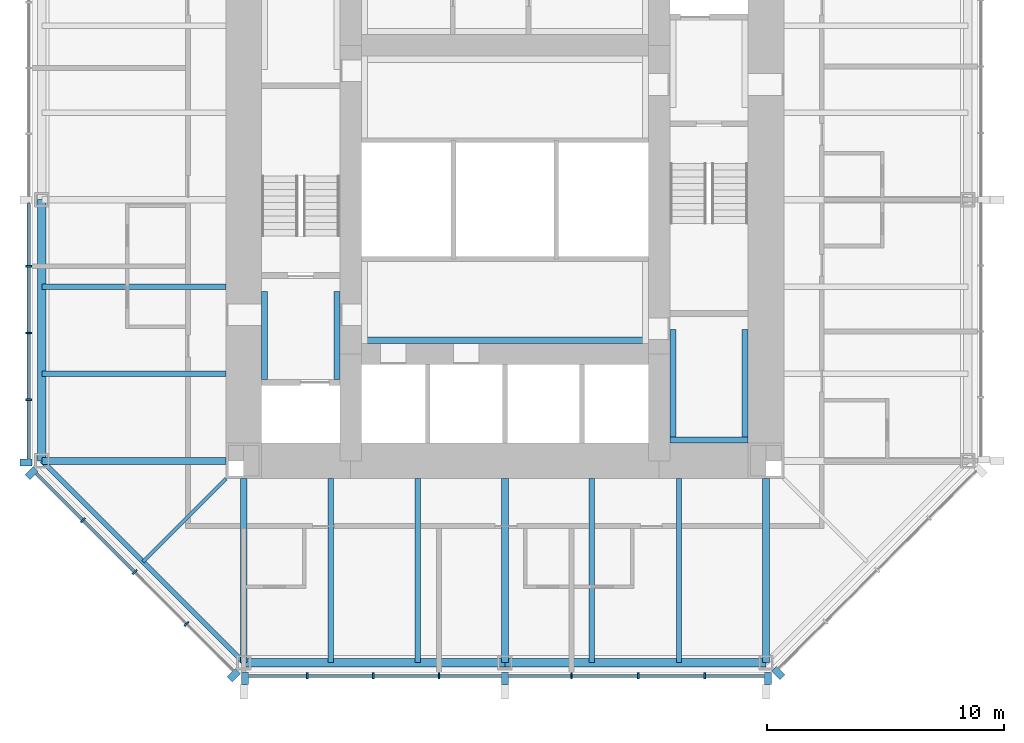
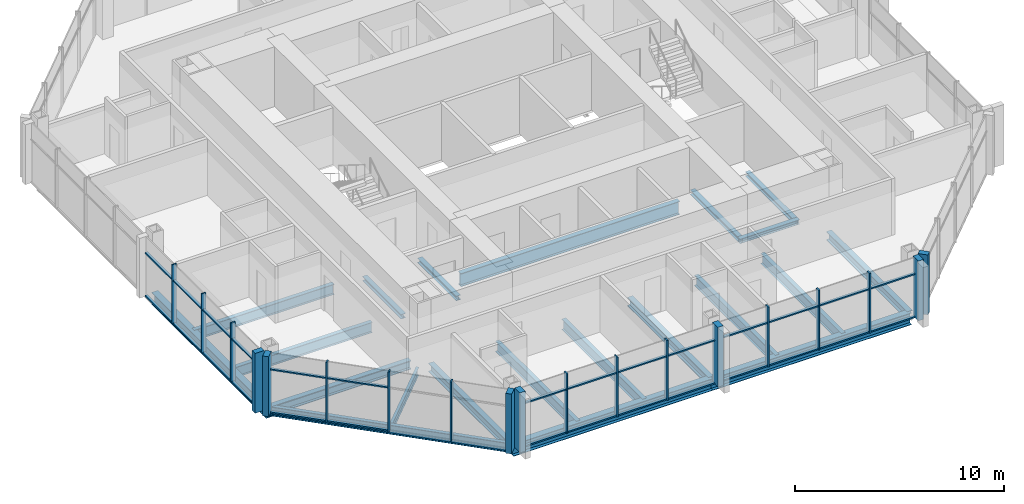
# One storey, part 2 of 11: 47 members, 21 beams, 4 elements without a shape of their own.
"""IFC4 building model written with IfcOpenShell, lengths in metres."""

from ifc_helpers import new_model, si_unit, direction, frame, origin, origin_2d, place, context, subcontext, project, spatial, rectangle, i_section, extrude, material, material_profile, profile_set, type_object, element, aggregate, save


model = new_model("IFC4")

# Units and contexts
model_context = context("Model", 3, precision=1e-05, world=origin(), true_north=direction((0.0, 1.0)))
body_context = subcontext(model_context, "Body", "Model", "MODEL_VIEW")
ifc_project = project(units=[si_unit("LENGTHUNIT", "METRE"), si_unit("AREAUNIT", "SQUARE_METRE"), si_unit("VOLUMEUNIT", "CUBIC_METRE"), si_unit("PLANEANGLEUNIT", "RADIAN"), si_unit("MASSUNIT", "GRAM", prefix="KILO")], contexts=[model_context])

# Site, building, storey
site_placement = place(None, origin())
site = spatial("IfcSite", under=ifc_project, at=site_placement, CompositionType="ELEMENT")
building_placement = place(site_placement, origin())
building = spatial("IfcBuilding", under=site, at=building_placement, Name="Trevanion Tower", CompositionType="ELEMENT")
storey_placement = place(building_placement, frame((0.0, 0.0, 215.199951171875)))
storey = spatial("IfcBuildingStorey", under=building, at=storey_placement, Name="L51", CompositionType="ELEMENT", Elevation=215.199951171875)

# Beams
ifc_material_1 = material(Name="Steel ASTM A992 Grade 50", Category="steel")
ifc_material_profile_1 = material_profile(ifc_material_1, i_section(OverallWidth=0.228271484375, OverallDepth=0.607177734375, WebThickness=0.01123046875, FlangeThickness=0.017333984375, at=origin_2d()), Name="W24X76")
ifc_profile_set_1 = profile_set([ifc_material_profile_1], Name="Steel ASTM A992 Grade 50")
beam_type_1 = type_object("IfcBeamType", Name="B11 W24X76", PredefinedType="BEAM", material=ifc_profile_set_1)
for number, where, z_axis, x_axis, name in (
    (1, (-11.75, -3.666748046875, -0.493408203125), (-1.0, 0.0, 0.0), (0.0, -1.0, 0.0), "B11 L51"),
    (2, (-11.75, -7.333251953125, -0.493408203125), (-1.0, 0.0, 0.0), (0.0, -1.0, 0.0), "B11 L51"),
    (3, (-7.333251953125, -11.75, -0.493408203125), (0.0, -1.0, 0.0), (1.0, 0.0, 0.0), "B11 L51"),
    (4, (-3.666748046875, -11.75, -0.493408203125), (0.0, -1.0, 0.0), (1.0, 0.0, 0.0), "B11 L51"),
    (5, (3.666748046875, -11.75, -0.493408203125), (0.0, -1.0, 0.0), (1.0, 0.0, 0.0), "B11 L51"),
    (6, (7.333251953125, -11.75, -0.493408203125), (0.0, -1.0, 0.0), (1.0, 0.0, 0.0), "B11 L51"),
):
    element("IfcBeam", number, at=place(storey_placement, frame(where, z_axis=z_axis, x_axis=x_axis)), inside=storey, type_object=beam_type_1, Name=name, PredefinedType="BEAM", context=body_context, shape_type="SweptSolid", body=[
        extrude(i_section(OverallWidth=0.228271484375, OverallDepth=0.607177734375, WebThickness=0.01123046875, FlangeThickness=0.017333984375, at=origin_2d()), origin(), (0.0, 0.0, 1.0), 7.75),
    ])
ifc_material_2 = material(Name="Steel ASTM A992 Grade 50", Category="steel")
ifc_material_profile_2 = material_profile(ifc_material_2, i_section(OverallWidth=0.15234375, OverallDepth=0.449462890625, WebThickness=0.007568359375, FlangeThickness=0.0107421875, at=origin_2d()), Name="W18X35")
ifc_profile_set_2 = profile_set([ifc_material_profile_2], Name="Steel ASTM A992 Grade 50")
beam_type_2 = type_object("IfcBeamType", Name="B12 W18X35", PredefinedType="BEAM", material=ifc_profile_set_2)
beam_1_placement = place(storey_placement, frame((-11.75, -11.75, -0.414794921875), z_axis=(-0.707106781187, -0.707106781187, 0.0), x_axis=(0.707106781187, -0.707106781187, 0.0)))
element("IfcBeam", 7, at=beam_1_placement, inside=storey, type_object=beam_type_2, Name="B12 L51", PredefinedType="BEAM", context=body_context, shape_type="SweptSolid", body=[
    extrude(i_section(OverallWidth=0.15234375, OverallDepth=0.449462890625, WebThickness=0.007568359375, FlangeThickness=0.0107421875, at=origin_2d()), origin(), (0.0, 0.0, 1.0), 4.94970703125),
])

# Curtain wall, members
ifc_material_3 = material(Name="Aluminium and glass", Category="aluminium")
curtain_wall_type = type_object("IfcCurtainWallType", Name="CW3 curtain wall", PredefinedType="USERDEFINED", material=ifc_material_3)
curtain_wall_1_placement = place(storey_placement, origin())
curtain_wall_1 = element("IfcCurtainWall", 8, at=curtain_wall_1_placement, inside=storey, type_object=curtain_wall_type, Name="CW3 L51 4", ObjectType="UNITISED CURTAIN WALL", PredefinedType="USERDEFINED")
ifc_material_4 = material(Name="Aluminium extrusion, anodised bronze", Category="aluminium")
ifc_material_profile_3 = material_profile(ifc_material_4, rectangle(XDim=0.074951171875, YDim=0.25, at=origin_2d()), Name="CW3 mullion")
ifc_profile_set_3 = profile_set([ifc_material_profile_3], Name="Aluminium extrusion, anodised bronze")
member_type_1 = type_object("IfcMemberType", Name="CW3 mullion", PredefinedType="MULLION", material=ifc_profile_set_3)
member_1_placement = place(storey_placement, frame((-20.050048828125, -2.806884765625, -0.18994140625), z_axis=(0.0, 0.0, 1.0), x_axis=(0.0, -1.0, 0.0)))
member_1 = element("IfcMember", 9, at=member_1_placement, type_object=member_type_1, Name="CW3 mullion 6", PredefinedType="MULLION", context=body_context, shape_type="SweptSolid", body=[
    extrude(rectangle(XDim=0.074951171875, YDim=0.25, at=origin_2d()), origin(), (0.0, 0.0, 1.0), 3.5),
])
member_2_placement = place(storey_placement, frame((-20.050048828125, -5.614013671875, -0.18994140625), z_axis=(0.0, 0.0, 1.0), x_axis=(0.0, -1.0, 0.0)))
member_2 = element("IfcMember", 10, at=member_2_placement, type_object=member_type_1, Name="CW3 mullion 7", PredefinedType="MULLION", context=body_context, shape_type="SweptSolid", body=[
    extrude(rectangle(XDim=0.074951171875, YDim=0.25, at=origin_2d()), origin(), (0.0, 0.0, 1.0), 3.5),
])
member_3_placement = place(storey_placement, frame((-20.050048828125, -8.4208984375, -0.18994140625), z_axis=(0.0, 0.0, 1.0), x_axis=(0.0, -1.0, 0.0)))
member_3 = element("IfcMember", 11, at=member_3_placement, type_object=member_type_1, Name="CW3 mullion 8", PredefinedType="MULLION", context=body_context, shape_type="SweptSolid", body=[
    extrude(rectangle(XDim=0.074951171875, YDim=0.25, at=origin_2d()), origin(), (0.0, 0.0, 1.0), 3.5),
])

curtain_wall_2_placement = place(storey_placement, origin())
curtain_wall_2 = element("IfcCurtainWall", 12, at=curtain_wall_2_placement, inside=storey, type_object=curtain_wall_type, Name="CW3 L51 5", ObjectType="UNITISED CURTAIN WALL", PredefinedType="USERDEFINED")
member_4_placement = place(storey_placement, frame((-17.775390625, -13.502197265625, -0.18994140625), z_axis=(0.0, 0.0, 1.0), x_axis=(0.707106781187, -0.707106781187, 0.0)))
member_4 = element("IfcMember", 13, at=member_4_placement, type_object=member_type_1, Name="CW3 mullion 2", PredefinedType="MULLION", context=body_context, shape_type="SweptSolid", body=[
    extrude(rectangle(XDim=0.074951171875, YDim=0.25, at=origin_2d()), origin(), (0.0, 0.0, 1.0), 3.5),
])
member_5_placement = place(storey_placement, frame((-15.593017578125, -15.684814453125, -0.18994140625), z_axis=(0.0, 0.0, 1.0), x_axis=(0.707106781187, -0.707106781187, 0.0)))
member_5 = element("IfcMember", 14, at=member_5_placement, type_object=member_type_1, Name="CW3 mullion 3", PredefinedType="MULLION", context=body_context, shape_type="SweptSolid", body=[
    extrude(rectangle(XDim=0.074951171875, YDim=0.25, at=origin_2d()), origin(), (0.0, 0.0, 1.0), 3.5),
])
member_6_placement = place(storey_placement, frame((-13.410400390625, -17.867431640625, -0.18994140625), z_axis=(0.0, 0.0, 1.0), x_axis=(0.707106781187, -0.707106781187, 0.0)))
member_6 = element("IfcMember", 15, at=member_6_placement, type_object=member_type_1, Name="CW3 mullion 4", PredefinedType="MULLION", context=body_context, shape_type="SweptSolid", body=[
    extrude(rectangle(XDim=0.074951171875, YDim=0.25, at=origin_2d()), origin(), (0.0, 0.0, 1.0), 3.5),
])

curtain_wall_3_placement = place(storey_placement, origin())
curtain_wall_3 = element("IfcCurtainWall", 16, at=curtain_wall_3_placement, inside=storey, type_object=curtain_wall_type, Name="CW3 L51 6", ObjectType="UNITISED CURTAIN WALL", PredefinedType="USERDEFINED")
member_7_placement = place(storey_placement, frame((-8.323486328125, -20.050048828125, -0.18994140625), z_axis=(0.0, 0.0, 1.0), x_axis=(1.0, 0.0, 0.0)))
member_7 = element("IfcMember", 17, at=member_7_placement, type_object=member_type_1, Name="CW3 mullion 2", PredefinedType="MULLION", context=body_context, shape_type="SweptSolid", body=[
    extrude(rectangle(XDim=0.074951171875, YDim=0.25, at=origin_2d()), origin(), (0.0, 0.0, 1.0), 3.5),
])
member_8_placement = place(storey_placement, frame((-5.548828125, -20.050048828125, -0.18994140625), z_axis=(0.0, 0.0, 1.0), x_axis=(1.0, 0.0, 0.0)))
member_8 = element("IfcMember", 18, at=member_8_placement, type_object=member_type_1, Name="CW3 mullion 3", PredefinedType="MULLION", context=body_context, shape_type="SweptSolid", body=[
    extrude(rectangle(XDim=0.074951171875, YDim=0.25, at=origin_2d()), origin(), (0.0, 0.0, 1.0), 3.5),
])
member_9_placement = place(storey_placement, frame((-2.7744140625, -20.050048828125, -0.18994140625), z_axis=(0.0, 0.0, 1.0), x_axis=(1.0, 0.0, 0.0)))
member_9 = element("IfcMember", 19, at=member_9_placement, type_object=member_type_1, Name="CW3 mullion 4", PredefinedType="MULLION", context=body_context, shape_type="SweptSolid", body=[
    extrude(rectangle(XDim=0.074951171875, YDim=0.25, at=origin_2d()), origin(), (0.0, 0.0, 1.0), 3.5),
])
member_10_placement = place(storey_placement, frame((2.806884765625, -20.050048828125, -0.18994140625), z_axis=(0.0, 0.0, 1.0), x_axis=(1.0, 0.0, 0.0)))
member_10 = element("IfcMember", 20, at=member_10_placement, type_object=member_type_1, Name="CW3 mullion 6", PredefinedType="MULLION", context=body_context, shape_type="SweptSolid", body=[
    extrude(rectangle(XDim=0.074951171875, YDim=0.25, at=origin_2d()), origin(), (0.0, 0.0, 1.0), 3.5),
])
member_11_placement = place(storey_placement, frame((5.614013671875, -20.050048828125, -0.18994140625), z_axis=(0.0, 0.0, 1.0), x_axis=(1.0, 0.0, 0.0)))
member_11 = element("IfcMember", 21, at=member_11_placement, type_object=member_type_1, Name="CW3 mullion 7", PredefinedType="MULLION", context=body_context, shape_type="SweptSolid", body=[
    extrude(rectangle(XDim=0.074951171875, YDim=0.25, at=origin_2d()), origin(), (0.0, 0.0, 1.0), 3.5),
])
member_12_placement = place(storey_placement, frame((8.4208984375, -20.050048828125, -0.18994140625), z_axis=(0.0, 0.0, 1.0), x_axis=(1.0, 0.0, 0.0)))
member_12 = element("IfcMember", 22, at=member_12_placement, type_object=member_type_1, Name="CW3 mullion 8", PredefinedType="MULLION", context=body_context, shape_type="SweptSolid", body=[
    extrude(rectangle(XDim=0.074951171875, YDim=0.25, at=origin_2d()), origin(), (0.0, 0.0, 1.0), 3.5),
])

# Member
ifc_material_5 = material(Name="Aluminium extrusion, anodised bronze", Category="aluminium")
ifc_material_profile_4 = material_profile(ifc_material_5, rectangle(XDim=0.300048828125, YDim=0.5, at=origin_2d()), Name="CW3 pier mullion")
ifc_profile_set_4 = profile_set([ifc_material_profile_4], Name="Aluminium extrusion, anodised bronze")
member_type_2 = type_object("IfcMemberType", Name="CW3 pier mullion", PredefinedType="MULLION", material=ifc_profile_set_4)
member_13_placement = place(storey_placement, frame((-20.175048828125, -11.077880859375, -0.18994140625), z_axis=(0.0, 0.0, 1.0), x_axis=(0.0, -1.0, 0.0)))
member_13 = element("IfcMember", 23, at=member_13_placement, type_object=member_type_2, Name="CW3 pier mullion 9", PredefinedType="MULLION", context=body_context, shape_type="SweptSolid", body=[
    extrude(rectangle(XDim=0.300048828125, YDim=0.5, at=origin_2d()), origin(), (0.0, 0.0, 1.0), 3.5),
])

member_14_placement = place(storey_placement, frame((-19.9404296875, -11.51416015625, -0.18994140625), z_axis=(0.0, 0.0, 1.0), x_axis=(0.707106781187, -0.707106781187, 0.0)))
member_14 = element("IfcMember", 24, at=member_14_placement, type_object=member_type_2, Name="CW3 pier mullion 1", PredefinedType="MULLION", context=body_context, shape_type="SweptSolid", body=[
    extrude(rectangle(XDim=0.300048828125, YDim=0.5, at=origin_2d()), origin(), (0.0, 0.0, 1.0), 3.5),
])

member_15_placement = place(storey_placement, frame((-11.42236328125, -20.0322265625, -0.18994140625), z_axis=(0.0, 0.0, 1.0), x_axis=(0.707106781187, -0.707106781187, 0.0)))
member_15 = element("IfcMember", 25, at=member_15_placement, type_object=member_type_2, Name="CW3 pier mullion 5", PredefinedType="MULLION", context=body_context, shape_type="SweptSolid", body=[
    extrude(rectangle(XDim=0.300048828125, YDim=0.5, at=origin_2d()), origin(), (0.0, 0.0, 1.0), 3.5),
])

member_16_placement = place(storey_placement, frame((-10.94775390625, -20.175048828125, -0.18994140625), z_axis=(0.0, 0.0, 1.0), x_axis=(1.0, 0.0, 0.0)))
member_16 = element("IfcMember", 26, at=member_16_placement, type_object=member_type_2, Name="CW3 pier mullion 1", PredefinedType="MULLION", context=body_context, shape_type="SweptSolid", body=[
    extrude(rectangle(XDim=0.300048828125, YDim=0.5, at=origin_2d()), origin(), (0.0, 0.0, 1.0), 3.5),
])

member_17_placement = place(storey_placement, frame((0.0, -20.175048828125, -0.18994140625), z_axis=(0.0, 0.0, 1.0), x_axis=(1.0, 0.0, 0.0)))
member_17 = element("IfcMember", 27, at=member_17_placement, type_object=member_type_2, Name="CW3 pier mullion 5", PredefinedType="MULLION", context=body_context, shape_type="SweptSolid", body=[
    extrude(rectangle(XDim=0.300048828125, YDim=0.5, at=origin_2d()), origin(), (0.0, 0.0, 1.0), 3.5),
])

member_18_placement = place(storey_placement, frame((11.077880859375, -20.175048828125, -0.18994140625), z_axis=(0.0, 0.0, 1.0), x_axis=(1.0, 0.0, 0.0)))
member_18 = element("IfcMember", 28, at=member_18_placement, type_object=member_type_2, Name="CW3 pier mullion 9", PredefinedType="MULLION", context=body_context, shape_type="SweptSolid", body=[
    extrude(rectangle(XDim=0.300048828125, YDim=0.5, at=origin_2d()), origin(), (0.0, 0.0, 1.0), 3.5),
])

# Curtain wall, member
curtain_wall_4_placement = place(storey_placement, origin())
curtain_wall_4 = element("IfcCurtainWall", 29, at=curtain_wall_4_placement, inside=storey, type_object=curtain_wall_type, Name="CW3 L51 7", ObjectType="UNITISED CURTAIN WALL", PredefinedType="USERDEFINED")
member_19_placement = place(storey_placement, frame((11.51416015625, -19.9404296875, -0.18994140625), z_axis=(0.0, 0.0, 1.0), x_axis=(0.707106781187, 0.707106781187, 0.0)))
member_19 = element("IfcMember", 30, at=member_19_placement, type_object=member_type_2, Name="CW3 pier mullion 1", PredefinedType="MULLION", context=body_context, shape_type="SweptSolid", body=[
    extrude(rectangle(XDim=0.300048828125, YDim=0.5, at=origin_2d()), origin(), (0.0, 0.0, 1.0), 3.5),
])
aggregate(curtain_wall_4, [member_19])

# Member
ifc_material_6 = material(Name="Aluminium extrusion, anodised bronze", Category="aluminium")
ifc_material_profile_5 = material_profile(ifc_material_6, rectangle(XDim=0.14990234375, YDim=0.074951171875, at=origin_2d()), Name="CW3 transom")
ifc_profile_set_5 = profile_set([ifc_material_profile_5], Name="Aluminium extrusion, anodised bronze")
member_type_3 = type_object("IfcMemberType", Name="CW3 transom", PredefinedType="USERDEFINED", material=ifc_profile_set_5)
member_20_placement = place(storey_placement, frame((-20.050048828125, -0.14990234375, -0.15234375), z_axis=(0.0, -1.0, 0.0), x_axis=(1.0, 0.0, 0.0)))
member_20 = element("IfcMember", 31, at=member_20_placement, type_object=member_type_3, Name="CW3 transom 5.1", ObjectType="TRANSOM", PredefinedType="USERDEFINED", context=body_context, shape_type="SweptSolid", body=[
    extrude(rectangle(XDim=0.14990234375, YDim=0.074951171875, at=origin_2d()), origin(), (0.0, 0.0, 1.0), 2.619384765625),
])

member_21_placement = place(storey_placement, frame((-20.050048828125, -0.14990234375, 2.360107421875), z_axis=(0.0, -1.0, 0.0), x_axis=(1.0, 0.0, 0.0)))
member_21 = element("IfcMember", 32, at=member_21_placement, type_object=member_type_3, Name="CW3 transom 5.2", ObjectType="TRANSOM", PredefinedType="USERDEFINED", context=body_context, shape_type="SweptSolid", body=[
    extrude(rectangle(XDim=0.14990234375, YDim=0.074951171875, at=origin_2d()), origin(), (0.0, 0.0, 1.0), 2.619384765625),
])

member_22_placement = place(storey_placement, frame((-20.050048828125, -2.844482421875, -0.15234375), z_axis=(0.0, -1.0, 0.0), x_axis=(1.0, 0.0, 0.0)))
member_22 = element("IfcMember", 33, at=member_22_placement, type_object=member_type_3, Name="CW3 transom 6.1", ObjectType="TRANSOM", PredefinedType="USERDEFINED", context=body_context, shape_type="SweptSolid", body=[
    extrude(rectangle(XDim=0.14990234375, YDim=0.074951171875, at=origin_2d()), origin(), (0.0, 0.0, 1.0), 2.73193359375),
])

member_23_placement = place(storey_placement, frame((-20.050048828125, -2.844482421875, 2.360107421875), z_axis=(0.0, -1.0, 0.0), x_axis=(1.0, 0.0, 0.0)))
member_23 = element("IfcMember", 34, at=member_23_placement, type_object=member_type_3, Name="CW3 transom 6.2", ObjectType="TRANSOM", PredefinedType="USERDEFINED", context=body_context, shape_type="SweptSolid", body=[
    extrude(rectangle(XDim=0.14990234375, YDim=0.074951171875, at=origin_2d()), origin(), (0.0, 0.0, 1.0), 2.73193359375),
])

member_24_placement = place(storey_placement, frame((-20.050048828125, -5.6513671875, -0.15234375), z_axis=(0.0, -1.0, 0.0), x_axis=(1.0, 0.0, 0.0)))
member_24 = element("IfcMember", 35, at=member_24_placement, type_object=member_type_3, Name="CW3 transom 7.1", ObjectType="TRANSOM", PredefinedType="USERDEFINED", context=body_context, shape_type="SweptSolid", body=[
    extrude(rectangle(XDim=0.14990234375, YDim=0.074951171875, at=origin_2d()), origin(), (0.0, 0.0, 1.0), 2.73193359375),
])

member_25_placement = place(storey_placement, frame((-20.050048828125, -5.6513671875, 2.360107421875), z_axis=(0.0, -1.0, 0.0), x_axis=(1.0, 0.0, 0.0)))
member_25 = element("IfcMember", 36, at=member_25_placement, type_object=member_type_3, Name="CW3 transom 7.2", ObjectType="TRANSOM", PredefinedType="USERDEFINED", context=body_context, shape_type="SweptSolid", body=[
    extrude(rectangle(XDim=0.14990234375, YDim=0.074951171875, at=origin_2d()), origin(), (0.0, 0.0, 1.0), 2.73193359375),
])

member_26_placement = place(storey_placement, frame((-20.050048828125, -8.45849609375, -0.15234375), z_axis=(0.0, -1.0, 0.0), x_axis=(1.0, 0.0, 0.0)))
member_26 = element("IfcMember", 37, at=member_26_placement, type_object=member_type_3, Name="CW3 transom 8.1", ObjectType="TRANSOM", PredefinedType="USERDEFINED", context=body_context, shape_type="SweptSolid", body=[
    extrude(rectangle(XDim=0.14990234375, YDim=0.074951171875, at=origin_2d()), origin(), (0.0, 0.0, 1.0), 2.46923828125),
])

member_27_placement = place(storey_placement, frame((-20.050048828125, -8.45849609375, 2.360107421875), z_axis=(0.0, -1.0, 0.0), x_axis=(1.0, 0.0, 0.0)))
member_27 = element("IfcMember", 38, at=member_27_placement, type_object=member_type_3, Name="CW3 transom 8.2", ObjectType="TRANSOM", PredefinedType="USERDEFINED", context=body_context, shape_type="SweptSolid", body=[
    extrude(rectangle(XDim=0.14990234375, YDim=0.074951171875, at=origin_2d()), origin(), (0.0, 0.0, 1.0), 2.46923828125),
])

aggregate(curtain_wall_1, [member_1, member_2, member_3, member_13, member_20, member_21, member_22, member_23, member_24, member_25, member_26, member_27])

member_28_placement = place(storey_placement, frame((-19.745849609375, -11.531982421875, -0.15234375), z_axis=(0.707106781187, -0.707106781187, 0.0), x_axis=(0.707106781187, 0.707106781187, 0.0)))
member_28 = element("IfcMember", 39, at=member_28_placement, type_object=member_type_3, Name="CW3 transom 1.1", ObjectType="TRANSOM", PredefinedType="USERDEFINED", context=body_context, shape_type="SweptSolid", body=[
    extrude(rectangle(XDim=0.14990234375, YDim=0.074951171875, at=origin_2d()), origin(), (0.0, 0.0, 1.0), 2.7490234375),
])

member_29_placement = place(storey_placement, frame((-19.745849609375, -11.531982421875, 2.360107421875), z_axis=(0.707106781187, -0.707106781187, 0.0), x_axis=(0.707106781187, 0.707106781187, 0.0)))
member_29 = element("IfcMember", 40, at=member_29_placement, type_object=member_type_3, Name="CW3 transom 1.2", ObjectType="TRANSOM", PredefinedType="USERDEFINED", context=body_context, shape_type="SweptSolid", body=[
    extrude(rectangle(XDim=0.14990234375, YDim=0.074951171875, at=origin_2d()), origin(), (0.0, 0.0, 1.0), 2.7490234375),
])

member_30_placement = place(storey_placement, frame((-17.7490234375, -13.52880859375, -0.15234375), z_axis=(0.707106781187, -0.707106781187, 0.0), x_axis=(0.707106781187, 0.707106781187, 0.0)))
member_30 = element("IfcMember", 41, at=member_30_placement, type_object=member_type_3, Name="CW3 transom 2.1", ObjectType="TRANSOM", PredefinedType="USERDEFINED", context=body_context, shape_type="SweptSolid", body=[
    extrude(rectangle(XDim=0.14990234375, YDim=0.074951171875, at=origin_2d()), origin(), (0.0, 0.0, 1.0), 3.01171875),
])

member_31_placement = place(storey_placement, frame((-17.7490234375, -13.52880859375, 2.360107421875), z_axis=(0.707106781187, -0.707106781187, 0.0), x_axis=(0.707106781187, 0.707106781187, 0.0)))
member_31 = element("IfcMember", 42, at=member_31_placement, type_object=member_type_3, Name="CW3 transom 2.2", ObjectType="TRANSOM", PredefinedType="USERDEFINED", context=body_context, shape_type="SweptSolid", body=[
    extrude(rectangle(XDim=0.14990234375, YDim=0.074951171875, at=origin_2d()), origin(), (0.0, 0.0, 1.0), 3.01171875),
])

aggregate(curtain_wall_2, [member_14, member_4, member_5, member_6, member_15, member_28, member_29, member_30, member_31])

member_32_placement = place(storey_placement, frame((-10.7978515625, -20.050048828125, -0.15234375), z_axis=(1.0, 0.0, 0.0), x_axis=(0.0, 1.0, 0.0)))
member_32 = element("IfcMember", 43, at=member_32_placement, type_object=member_type_3, Name="CW3 transom 1.1", ObjectType="TRANSOM", PredefinedType="USERDEFINED", context=body_context, shape_type="SweptSolid", body=[
    extrude(rectangle(XDim=0.14990234375, YDim=0.074951171875, at=origin_2d()), origin(), (0.0, 0.0, 1.0), 2.43701171875),
])

member_33_placement = place(storey_placement, frame((-10.7978515625, -20.050048828125, 2.360107421875), z_axis=(1.0, 0.0, 0.0), x_axis=(0.0, 1.0, 0.0)))
member_33 = element("IfcMember", 44, at=member_33_placement, type_object=member_type_3, Name="CW3 transom 1.2", ObjectType="TRANSOM", PredefinedType="USERDEFINED", context=body_context, shape_type="SweptSolid", body=[
    extrude(rectangle(XDim=0.14990234375, YDim=0.074951171875, at=origin_2d()), origin(), (0.0, 0.0, 1.0), 2.43701171875),
])

member_34_placement = place(storey_placement, frame((-8.285888671875, -20.050048828125, -0.15234375), z_axis=(1.0, 0.0, 0.0), x_axis=(0.0, 1.0, 0.0)))
member_34 = element("IfcMember", 45, at=member_34_placement, type_object=member_type_3, Name="CW3 transom 2.1", ObjectType="TRANSOM", PredefinedType="USERDEFINED", context=body_context, shape_type="SweptSolid", body=[
    extrude(rectangle(XDim=0.14990234375, YDim=0.074951171875, at=origin_2d()), origin(), (0.0, 0.0, 1.0), 2.699462890625),
])

member_35_placement = place(storey_placement, frame((-8.285888671875, -20.050048828125, 2.360107421875), z_axis=(1.0, 0.0, 0.0), x_axis=(0.0, 1.0, 0.0)))
member_35 = element("IfcMember", 46, at=member_35_placement, type_object=member_type_3, Name="CW3 transom 2.2", ObjectType="TRANSOM", PredefinedType="USERDEFINED", context=body_context, shape_type="SweptSolid", body=[
    extrude(rectangle(XDim=0.14990234375, YDim=0.074951171875, at=origin_2d()), origin(), (0.0, 0.0, 1.0), 2.699462890625),
])

member_36_placement = place(storey_placement, frame((-5.511474609375, -20.050048828125, -0.15234375), z_axis=(1.0, 0.0, 0.0), x_axis=(0.0, 1.0, 0.0)))
member_36 = element("IfcMember", 47, at=member_36_placement, type_object=member_type_3, Name="CW3 transom 3.1", ObjectType="TRANSOM", PredefinedType="USERDEFINED", context=body_context, shape_type="SweptSolid", body=[
    extrude(rectangle(XDim=0.14990234375, YDim=0.074951171875, at=origin_2d()), origin(), (0.0, 0.0, 1.0), 2.699462890625),
])

member_37_placement = place(storey_placement, frame((-5.511474609375, -20.050048828125, 2.360107421875), z_axis=(1.0, 0.0, 0.0), x_axis=(0.0, 1.0, 0.0)))
member_37 = element("IfcMember", 48, at=member_37_placement, type_object=member_type_3, Name="CW3 transom 3.2", ObjectType="TRANSOM", PredefinedType="USERDEFINED", context=body_context, shape_type="SweptSolid", body=[
    extrude(rectangle(XDim=0.14990234375, YDim=0.074951171875, at=origin_2d()), origin(), (0.0, 0.0, 1.0), 2.699462890625),
])

member_38_placement = place(storey_placement, frame((-2.737060546875, -20.050048828125, -0.15234375), z_axis=(1.0, 0.0, 0.0), x_axis=(0.0, 1.0, 0.0)))
member_38 = element("IfcMember", 49, at=member_38_placement, type_object=member_type_3, Name="CW3 transom 4.1", ObjectType="TRANSOM", PredefinedType="USERDEFINED", context=body_context, shape_type="SweptSolid", body=[
    extrude(rectangle(XDim=0.14990234375, YDim=0.074951171875, at=origin_2d()), origin(), (0.0, 0.0, 1.0), 2.587158203125),
])

member_39_placement = place(storey_placement, frame((-2.737060546875, -20.050048828125, 2.360107421875), z_axis=(1.0, 0.0, 0.0), x_axis=(0.0, 1.0, 0.0)))
member_39 = element("IfcMember", 50, at=member_39_placement, type_object=member_type_3, Name="CW3 transom 4.2", ObjectType="TRANSOM", PredefinedType="USERDEFINED", context=body_context, shape_type="SweptSolid", body=[
    extrude(rectangle(XDim=0.14990234375, YDim=0.074951171875, at=origin_2d()), origin(), (0.0, 0.0, 1.0), 2.587158203125),
])

member_40_placement = place(storey_placement, frame((0.14990234375, -20.050048828125, -0.15234375), z_axis=(1.0, 0.0, 0.0), x_axis=(0.0, 1.0, 0.0)))
member_40 = element("IfcMember", 51, at=member_40_placement, type_object=member_type_3, Name="CW3 transom 5.1", ObjectType="TRANSOM", PredefinedType="USERDEFINED", context=body_context, shape_type="SweptSolid", body=[
    extrude(rectangle(XDim=0.14990234375, YDim=0.074951171875, at=origin_2d()), origin(), (0.0, 0.0, 1.0), 2.619384765625),
])

member_41_placement = place(storey_placement, frame((0.14990234375, -20.050048828125, 2.360107421875), z_axis=(1.0, 0.0, 0.0), x_axis=(0.0, 1.0, 0.0)))
member_41 = element("IfcMember", 52, at=member_41_placement, type_object=member_type_3, Name="CW3 transom 5.2", ObjectType="TRANSOM", PredefinedType="USERDEFINED", context=body_context, shape_type="SweptSolid", body=[
    extrude(rectangle(XDim=0.14990234375, YDim=0.074951171875, at=origin_2d()), origin(), (0.0, 0.0, 1.0), 2.619384765625),
])

member_42_placement = place(storey_placement, frame((2.844482421875, -20.050048828125, -0.15234375), z_axis=(1.0, 0.0, 0.0), x_axis=(0.0, 1.0, 0.0)))
member_42 = element("IfcMember", 53, at=member_42_placement, type_object=member_type_3, Name="CW3 transom 6.1", ObjectType="TRANSOM", PredefinedType="USERDEFINED", context=body_context, shape_type="SweptSolid", body=[
    extrude(rectangle(XDim=0.14990234375, YDim=0.074951171875, at=origin_2d()), origin(), (0.0, 0.0, 1.0), 2.73193359375),
])

member_43_placement = place(storey_placement, frame((2.844482421875, -20.050048828125, 2.360107421875), z_axis=(1.0, 0.0, 0.0), x_axis=(0.0, 1.0, 0.0)))
member_43 = element("IfcMember", 54, at=member_43_placement, type_object=member_type_3, Name="CW3 transom 6.2", ObjectType="TRANSOM", PredefinedType="USERDEFINED", context=body_context, shape_type="SweptSolid", body=[
    extrude(rectangle(XDim=0.14990234375, YDim=0.074951171875, at=origin_2d()), origin(), (0.0, 0.0, 1.0), 2.73193359375),
])

member_44_placement = place(storey_placement, frame((5.6513671875, -20.050048828125, -0.15234375), z_axis=(1.0, 0.0, 0.0), x_axis=(0.0, 1.0, 0.0)))
member_44 = element("IfcMember", 55, at=member_44_placement, type_object=member_type_3, Name="CW3 transom 7.1", ObjectType="TRANSOM", PredefinedType="USERDEFINED", context=body_context, shape_type="SweptSolid", body=[
    extrude(rectangle(XDim=0.14990234375, YDim=0.074951171875, at=origin_2d()), origin(), (0.0, 0.0, 1.0), 2.73193359375),
])

member_45_placement = place(storey_placement, frame((5.6513671875, -20.050048828125, 2.360107421875), z_axis=(1.0, 0.0, 0.0), x_axis=(0.0, 1.0, 0.0)))
member_45 = element("IfcMember", 56, at=member_45_placement, type_object=member_type_3, Name="CW3 transom 7.2", ObjectType="TRANSOM", PredefinedType="USERDEFINED", context=body_context, shape_type="SweptSolid", body=[
    extrude(rectangle(XDim=0.14990234375, YDim=0.074951171875, at=origin_2d()), origin(), (0.0, 0.0, 1.0), 2.73193359375),
])

member_46_placement = place(storey_placement, frame((8.45849609375, -20.050048828125, -0.15234375), z_axis=(1.0, 0.0, 0.0), x_axis=(0.0, 1.0, 0.0)))
member_46 = element("IfcMember", 57, at=member_46_placement, type_object=member_type_3, Name="CW3 transom 8.1", ObjectType="TRANSOM", PredefinedType="USERDEFINED", context=body_context, shape_type="SweptSolid", body=[
    extrude(rectangle(XDim=0.14990234375, YDim=0.074951171875, at=origin_2d()), origin(), (0.0, 0.0, 1.0), 2.46923828125),
])

member_47_placement = place(storey_placement, frame((8.45849609375, -20.050048828125, 2.360107421875), z_axis=(1.0, 0.0, 0.0), x_axis=(0.0, 1.0, 0.0)))
member_47 = element("IfcMember", 58, at=member_47_placement, type_object=member_type_3, Name="CW3 transom 8.2", ObjectType="TRANSOM", PredefinedType="USERDEFINED", context=body_context, shape_type="SweptSolid", body=[
    extrude(rectangle(XDim=0.14990234375, YDim=0.074951171875, at=origin_2d()), origin(), (0.0, 0.0, 1.0), 2.46923828125),
])

aggregate(curtain_wall_3, [member_16, member_7, member_8, member_9, member_17, member_10, member_11, member_12, member_18, member_32, member_33, member_34, member_35, member_36, member_37, member_38, member_39, member_40, member_41, member_42, member_43, member_44, member_45, member_46, member_47])

# Beams
ifc_material_7 = material(Name="Steel ASTM A992 Grade 50", Category="steel")
ifc_material_profile_6 = material_profile(ifc_material_7, i_section(OverallWidth=0.28955078125, OverallDepth=0.508056640625, WebThickness=0.022705078125, FlangeThickness=0.040283203125, at=origin_2d()), Name="W18X175")
ifc_profile_set_6 = profile_set([ifc_material_profile_6], Name="Steel ASTM A992 Grade 50")
beam_type_3 = type_object("IfcBeamType", Name="G6 W18X175", PredefinedType="BEAM", material=ifc_profile_set_6)
for number, where, z_axis, x_axis, name in (
    (59, (-11.75, -11.0, -0.44384765625), (-1.0, 0.0, 0.0), (0.0, -1.0, 0.0), "G6 L51"),
    (60, (-11.0, -11.75, -0.44384765625), (0.0, -1.0, 0.0), (1.0, 0.0, 0.0), "G6 L51"),
    (61, (0.0, -11.75, -0.44384765625), (0.0, -1.0, 0.0), (1.0, 0.0, 0.0), "G6 L51"),
    (62, (11.0, -11.75, -0.44384765625), (0.0, -1.0, 0.0), (1.0, 0.0, 0.0), "G6 L51"),
):
    element("IfcBeam", number, at=place(storey_placement, frame(where, z_axis=z_axis, x_axis=x_axis)), inside=storey, type_object=beam_type_3, Name=name, PredefinedType="BEAM", context=body_context, shape_type="SweptSolid", body=[
        extrude(i_section(OverallWidth=0.28955078125, OverallDepth=0.508056640625, WebThickness=0.022705078125, FlangeThickness=0.040283203125, at=origin_2d()), origin(), (0.0, 0.0, 1.0), 7.75),
    ])
ifc_material_8 = material(Name="Steel ASTM A992 Grade 50", Category="steel")
ifc_material_profile_7 = material_profile(ifc_material_8, i_section(OverallWidth=0.256591796875, OverallDepth=0.26416015625, WebThickness=0.011962890625, FlangeThickness=0.01953125, at=origin_2d()), Name="W10X68")
ifc_profile_set_7 = profile_set([ifc_material_profile_7], Name="Steel ASTM A992 Grade 50")
beam_type_4 = type_object("IfcBeamType", Name="LB1 W10X68", PredefinedType="BEAM", material=ifc_profile_set_7)
for number, where, z_axis, x_axis, name in (
    (63, (-10.12158203125, -7.574951171875, -0.33203125), (0.0, 1.0, 0.0), (-1.0, 0.0, 0.0), "LB1 L51"),
    (64, (-7.078369140625, -7.574951171875, -0.33203125), (0.0, 1.0, 0.0), (-1.0, 0.0, 0.0), "LB1 L51"),
):
    element("IfcBeam", number, at=place(storey_placement, frame(where, z_axis=z_axis, x_axis=x_axis)), inside=storey, type_object=beam_type_4, Name=name, PredefinedType="BEAM", context=body_context, shape_type="SweptSolid", body=[
        extrude(i_section(OverallWidth=0.256591796875, OverallDepth=0.26416015625, WebThickness=0.011962890625, FlangeThickness=0.01953125, at=origin_2d()), origin(), (0.0, 0.0, 1.0), 3.699951171875),
    ])
for number, where, z_axis, x_axis, name in (
    (65, (7.078369140625, -10.25, -0.33203125), (0.0, 1.0, 0.0), (-1.0, 0.0, 0.0), "LB1 L51"),
    (66, (10.12158203125, -10.25, -0.33203125), (0.0, 1.0, 0.0), (-1.0, 0.0, 0.0), "LB1 L51"),
):
    element("IfcBeam", number, at=place(storey_placement, frame(where, z_axis=z_axis, x_axis=x_axis)), inside=storey, type_object=beam_type_4, Name=name, PredefinedType="BEAM", context=body_context, shape_type="SweptSolid", body=[
        extrude(i_section(OverallWidth=0.256591796875, OverallDepth=0.26416015625, WebThickness=0.011962890625, FlangeThickness=0.01953125, at=origin_2d()), origin(), (0.0, 0.0, 1.0), 4.77490234375),
    ])
beam_2_placement = place(storey_placement, frame((6.949951171875, -10.12158203125, -0.33203125), z_axis=(1.0, 0.0, 0.0), x_axis=(0.0, 1.0, 0.0)))
element("IfcBeam", 67, at=beam_2_placement, inside=storey, type_object=beam_type_4, Name="LB1 L51", PredefinedType="BEAM", context=body_context, shape_type="SweptSolid", body=[
    extrude(i_section(OverallWidth=0.256591796875, OverallDepth=0.26416015625, WebThickness=0.011962890625, FlangeThickness=0.01953125, at=origin_2d()), origin(), (0.0, 0.0, 1.0), 3.300048828125),
])
ifc_material_9 = material(Name="Steel ASTM A992 Grade 50", Category="steel")
ifc_material_profile_8 = material_profile(ifc_material_9, i_section(OverallWidth=0.2666015625, OverallDepth=0.76953125, WebThickness=0.015625, FlangeThickness=0.025390625, at=origin_2d()), Name="W30X132")
ifc_profile_set_8 = profile_set([ifc_material_profile_8], Name="Steel ASTM A992 Grade 50")
beam_type_5 = type_object("IfcBeamType", Name="LB3 W30X132", PredefinedType="BEAM", material=ifc_profile_set_8)
beam_3_placement = place(storey_placement, frame((-6.050048828125, -5.91650390625, -0.584716796875), z_axis=(1.0, 0.0, 0.0), x_axis=(0.0, 1.0, 0.0)))
element("IfcBeam", 68, at=beam_3_placement, inside=storey, type_object=beam_type_5, Name="LB3 L51", PredefinedType="BEAM", context=body_context, shape_type="SweptSolid", body=[
    extrude(i_section(OverallWidth=0.2666015625, OverallDepth=0.76953125, WebThickness=0.015625, FlangeThickness=0.025390625, at=origin_2d()), origin(), (0.0, 0.0, 1.0), 12.10009765625),
])
ifc_material_10 = material(Name="Steel ASTM A992 Grade 50", Category="steel")
ifc_material_profile_9 = material_profile(ifc_material_10, i_section(OverallWidth=0.355712890625, OverallDepth=0.696044921875, WebThickness=0.015380859375, FlangeThickness=0.024658203125, at=origin_2d()), Name="W27X146")
ifc_profile_set_9 = profile_set([ifc_material_profile_9], Name="Steel ASTM A992 Grade 50")
beam_type_6 = type_object("IfcBeamType", Name="SB8 W27X146", PredefinedType="SPANDREL", material=ifc_profile_set_9)
for number, where, z_axis, x_axis, name in (
    (69, (-19.5, 0.0, -0.537841796875), (0.0, -1.0, 0.0), (1.0, 0.0, 0.0), "SB8 L51"),
    (70, (-11.0, -19.5, -0.537841796875), (1.0, 0.0, 0.0), (0.0, 1.0, 0.0), "SB8 L51"),
    (71, (0.0, -19.5, -0.537841796875), (1.0, 0.0, 0.0), (0.0, 1.0, 0.0), "SB8 L51"),
):
    element("IfcBeam", number, at=place(storey_placement, frame(where, z_axis=z_axis, x_axis=x_axis)), inside=storey, type_object=beam_type_6, Name=name, PredefinedType="SPANDREL", context=body_context, shape_type="SweptSolid", body=[
        extrude(i_section(OverallWidth=0.355712890625, OverallDepth=0.696044921875, WebThickness=0.015380859375, FlangeThickness=0.024658203125, at=origin_2d()), origin(), (0.0, 0.0, 1.0), 11.0),
    ])
ifc_material_11 = material(Name="Steel ASTM A992 Grade 50", Category="steel")
ifc_material_profile_10 = material_profile(ifc_material_11, i_section(OverallWidth=0.209228515625, OverallDepth=0.533447265625, WebThickness=0.01025390625, FlangeThickness=0.015625, at=origin_2d()), Name="W21X62")
ifc_profile_set_10 = profile_set([ifc_material_profile_10], Name="Steel ASTM A992 Grade 50")
beam_type_7 = type_object("IfcBeamType", Name="SB9 W21X62", PredefinedType="SPANDREL", material=ifc_profile_set_10)
beam_4_placement = place(storey_placement, frame((-19.5, -11.0, -0.45654296875), z_axis=(0.707106781187, -0.707106781187, 0.0), x_axis=(0.707106781187, 0.707106781187, 0.0)))
element("IfcBeam", 72, at=beam_4_placement, inside=storey, type_object=beam_type_7, Name="SB9 L51", PredefinedType="SPANDREL", context=body_context, shape_type="SweptSolid", body=[
    extrude(i_section(OverallWidth=0.209228515625, OverallDepth=0.533447265625, WebThickness=0.01025390625, FlangeThickness=0.015625, at=origin_2d()), origin(), (0.0, 0.0, 1.0), 12.020751953125),
])

save(model, "model.ifc")
